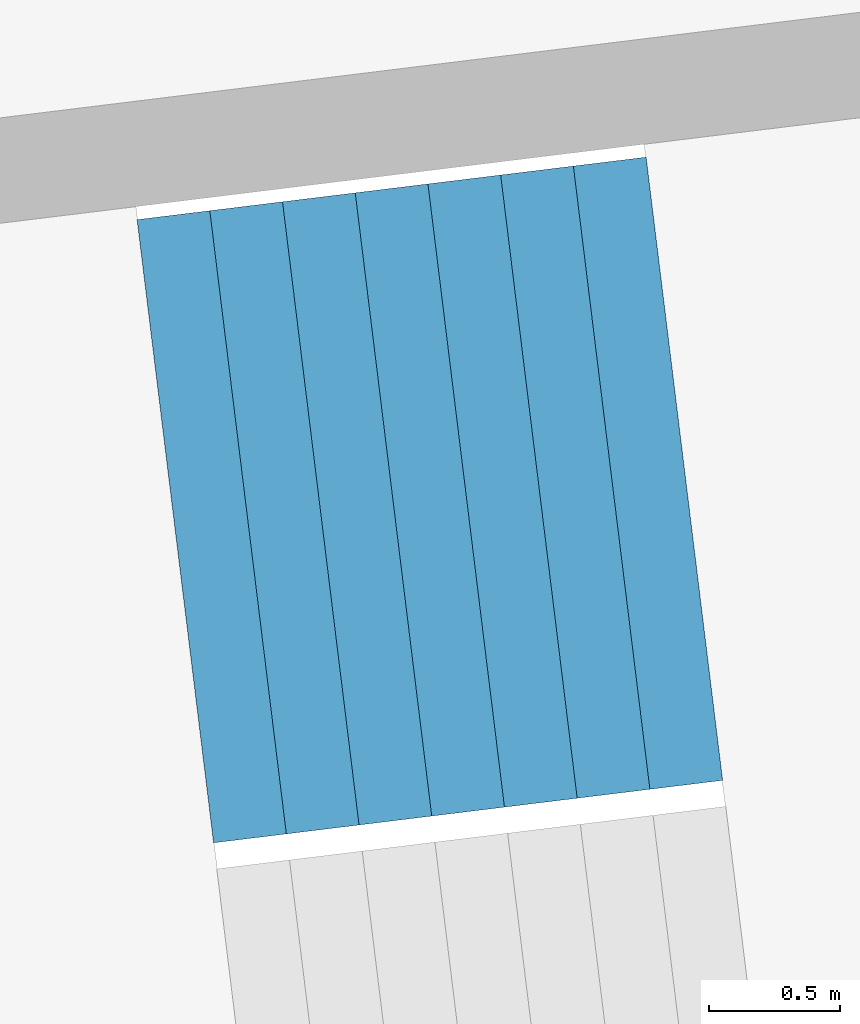
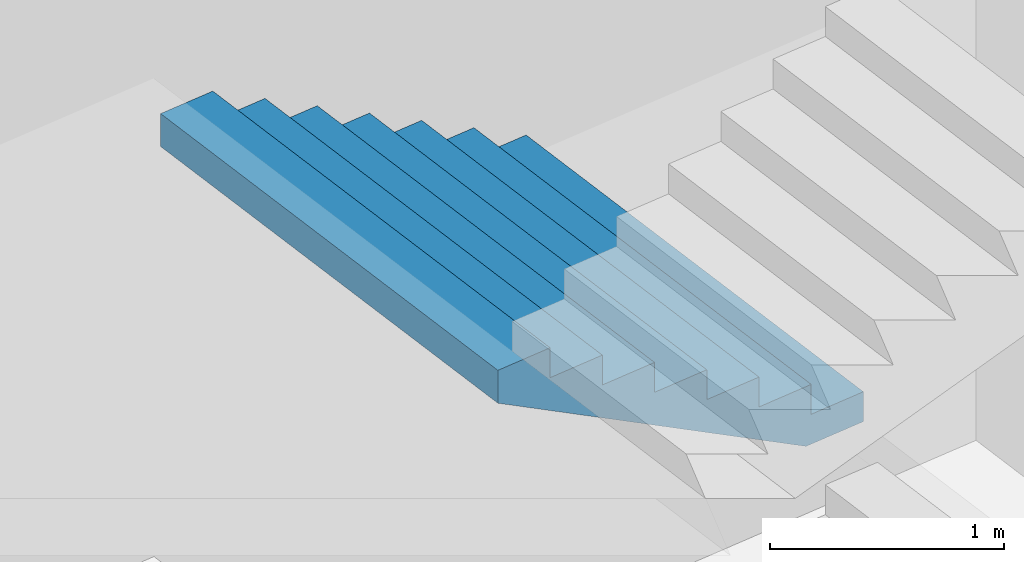
# One storey, part 26 of 73: 1 stair flight, 1 element without a shape of its own.
"""IFC4 building model written with IfcOpenShell, lengths in metres."""

from ifc_helpers import new_model, si_unit, direction, frame, origin, place, context, subcontext, project, spatial, triangles, material, type_object, element, aggregate, save


model = new_model("IFC4")

# Units and contexts
model_context = context("Model", 3, precision=1e-05, world=origin(), true_north=direction((0.0, 1.0)))
body_context = subcontext(model_context, "Body", "Model", "MODEL_VIEW")
ifc_project = project(units=[si_unit("LENGTHUNIT", "METRE"), si_unit("AREAUNIT", "SQUARE_METRE"), si_unit("VOLUMEUNIT", "CUBIC_METRE"), si_unit("PLANEANGLEUNIT", "RADIAN"), si_unit("MASSUNIT", "GRAM", prefix="KILO")], contexts=[model_context])

# Site, building, storey
site_placement = place(None, origin())
site = spatial("IfcSite", under=ifc_project, at=site_placement, CompositionType="ELEMENT")
building_placement = place(site_placement, origin())
building = spatial("IfcBuilding", under=site, at=building_placement, Name="Lantaw Convention Tower", CompositionType="ELEMENT")
storey_placement = place(building_placement, frame((0.0, 0.0, 27.0)))
storey = spatial("IfcBuildingStorey", under=building, at=storey_placement, Name="L04", CompositionType="ELEMENT", Elevation=27.0)

# Stair, stair flight
ifc_material = material(Name="Concrete C35/45", Category="concrete")
stair_type = type_object("IfcStairType", Name="Exit stair 2400 riser 156.25 in 4 flights", PredefinedType="HALF_TURN_STAIR", material=ifc_material)
stair_placement = place(storey_placement, origin())
stair = element("IfcStair", 1, at=stair_placement, inside=storey, type_object=stair_type, Name="Podium exit stair P10 L04", PredefinedType="HALF_TURN_STAIR")
stair_flight_type = type_object("IfcStairFlightType", Name="Stair flight 2400 riser 156.25", PredefinedType="STRAIGHT", material=ifc_material)
stair_flight_placement = place(storey_placement, frame((-35.162109375, -3.057861328125, 2.5), z_axis=(0.0, 0.0, 1.0), x_axis=(-0.992546151641, -0.121869343405, 0.0)))
stair_flight = element("IfcStairFlight", 2, at=stair_flight_placement, type_object=stair_flight_type, Name="P10 flight 3", NumberOfRisers=8, NumberOfTreads=7, PredefinedType="STRAIGHT", RiserHeight=0.15625, TreadLength=0.28, context=body_context, shape_type="Tessellation", body=[
    triangles([(0.0, 1.199951171875, 0.0), (0.0, 1.199951171875, 0.15625), (0.28, 1.199951171875, 0.0), (0.28, 1.199951171875, 0.15625), (0.28, 1.199951171875, 0.3125), (0.3076200632058044, 1.199951171875, 0.0), (0.3076200632058044, 1.199951171875, 0.3125), (0.56, 1.199951171875, 0.14083701830033238), (0.56, 1.199951171875, 0.3125), (0.56, 1.199951171875, 0.46875), (0.8400000000000001, 1.199951171875, 0.29708701830033235), (0.8400000000000001, 1.199951171875, 0.46875), (0.8400000000000001, 1.199951171875, 0.625), (1.12, 1.199951171875, 0.45333701830033235), (1.12, 1.199951171875, 0.625), (1.12, 1.199951171875, 0.78125), (1.4000000000000001, 1.199951171875, 0.6095870183003324), (1.4000000000000001, 1.199951171875, 0.78125), (1.4000000000000001, 1.199951171875, 0.9375), (1.6800000000000002, 1.199951171875, 0.7658370183003324), (1.6800000000000002, 1.199951171875, 0.9375), (1.6800000000000002, 1.199951171875, 1.09375), (1.9600000000000002, 1.199951171875, 0.9220870183003324), (1.9600000000000002, 1.199951171875, 1.09375), (0.0, -1.199951171875, 0.0), (0.0, -1.199951171875, 0.15625), (0.28, -1.199951171875, 0.0), (0.28, -1.199951171875, 0.15625), (0.28, -1.199951171875, 0.3125), (0.3076200632058044, -1.199951171875, 0.0), (0.3076200632058044, -1.199951171875, 0.3125), (0.56, -1.199951171875, 0.14083701830033238), (0.56, -1.199951171875, 0.3125), (0.56, -1.199951171875, 0.46875), (0.8400000000000001, -1.199951171875, 0.29708701830033235), (0.8400000000000001, -1.199951171875, 0.46875), (0.8400000000000001, -1.199951171875, 0.625), (1.12, -1.199951171875, 0.45333701830033235), (1.12, -1.199951171875, 0.625), (1.12, -1.199951171875, 0.78125), (1.4000000000000001, -1.199951171875, 0.6095870183003324), (1.4000000000000001, -1.199951171875, 0.78125), (1.4000000000000001, -1.199951171875, 0.9375), (1.6800000000000002, -1.199951171875, 0.7658370183003324), (1.6800000000000002, -1.199951171875, 0.9375), (1.6800000000000002, -1.199951171875, 1.09375), (1.9600000000000002, -1.199951171875, 0.9220870183003324), (1.9600000000000002, -1.199951171875, 1.09375), (0.0, 0.239990234375, 0.15625), (0.0, 0.239990234375, 0.0), (0.0, 0.1919921875, 0.15625), (0.0, 0.1919921875, 0.0), (0.0, 0.143994140625, 0.15625), (0.0, 0.143994140625, 0.0), (0.0, 0.09599609375, 0.15625), (0.0, 0.09599609375, 0.0), (0.0, 0.047998046875, 0.15625), (0.0, 0.047998046875, 0.0), (0.0, 0.0, 0.15625), (0.0, 0.0, 0.0), (0.0, -0.047998046875, 0.15625), (0.0, -0.047998046875, 0.0), (0.0, -0.09599609375, 0.15625), (0.0, -0.09599609375, 0.0), (0.0, -0.143994140625, 0.15625), (0.0, -0.143994140625, 0.0), (0.0, -0.1919921875, 0.15625), (0.0, -0.1919921875, 0.0), (0.0, -0.239990234375, 0.15625), (0.0, -0.239990234375, 0.0), (0.28, 0.239990234375, 0.3125), (0.28, 0.239990234375, 0.15625), (0.28, 0.1919921875, 0.3125), (0.28, 0.1919921875, 0.15625), (0.28, 0.143994140625, 0.3125), (0.28, 0.143994140625, 0.15625), (0.28, 0.09599609375, 0.3125), (0.28, 0.09599609375, 0.15625), (0.28, 0.047998046875, 0.3125), (0.28, 0.047998046875, 0.15625), (0.28, 0.0, 0.3125), (0.28, 0.0, 0.15625), (0.28, -0.047998046875, 0.3125), (0.28, -0.047998046875, 0.15625), (0.28, -0.09599609375, 0.3125), (0.28, -0.09599609375, 0.15625), (0.28, -0.143994140625, 0.3125), (0.28, -0.143994140625, 0.15625), (0.28, -0.1919921875, 0.3125), (0.28, -0.1919921875, 0.15625), (0.28, -0.239990234375, 0.3125), (0.28, -0.239990234375, 0.15625), (0.56, 0.239990234375, 0.46875), (0.56, 0.239990234375, 0.3125), (0.56, 0.1919921875, 0.46875), (0.56, 0.1919921875, 0.3125), (0.56, 0.143994140625, 0.46875), (0.56, 0.143994140625, 0.3125), (0.56, 0.09599609375, 0.46875), (0.56, 0.09599609375, 0.3125), (0.56, 0.047998046875, 0.46875), (0.56, 0.047998046875, 0.3125), (0.56, 0.0, 0.46875), (0.56, 0.0, 0.3125), (0.56, -0.047998046875, 0.46875), (0.56, -0.047998046875, 0.3125), (0.56, -0.09599609375, 0.46875), (0.56, -0.09599609375, 0.3125), (0.56, -0.143994140625, 0.46875), (0.56, -0.143994140625, 0.3125), (0.56, -0.1919921875, 0.46875), (0.56, -0.1919921875, 0.3125), (0.56, -0.239990234375, 0.46875), (0.56, -0.239990234375, 0.3125), (0.8400000000000001, 0.239990234375, 0.625), (0.8400000000000001, 0.239990234375, 0.46875), (0.8400000000000001, 0.1919921875, 0.625), (0.8400000000000001, 0.1919921875, 0.46875), (0.8400000000000001, 0.143994140625, 0.625), (0.8400000000000001, 0.143994140625, 0.46875), (0.8400000000000001, 0.09599609375, 0.625), (0.8400000000000001, 0.09599609375, 0.46875), (0.8400000000000001, 0.047998046875, 0.625), (0.8400000000000001, 0.047998046875, 0.46875), (0.8400000000000001, 0.0, 0.625), (0.8400000000000001, 0.0, 0.46875), (0.8400000000000001, -0.047998046875, 0.625), (0.8400000000000001, -0.047998046875, 0.46875), (0.8400000000000001, -0.09599609375, 0.625), (0.8400000000000001, -0.09599609375, 0.46875), (0.8400000000000001, -0.143994140625, 0.625), (0.8400000000000001, -0.143994140625, 0.46875), (0.8400000000000001, -0.1919921875, 0.625), (0.8400000000000001, -0.1919921875, 0.46875), (0.8400000000000001, -0.239990234375, 0.625), (0.8400000000000001, -0.239990234375, 0.46875), (1.12, 0.239990234375, 0.78125), (1.12, 0.239990234375, 0.625), (1.12, 0.1919921875, 0.78125), (1.12, 0.1919921875, 0.625), (1.12, 0.143994140625, 0.78125), (1.12, 0.143994140625, 0.625), (1.12, 0.09599609375, 0.78125), (1.12, 0.09599609375, 0.625), (1.12, 0.047998046875, 0.78125), (1.12, 0.047998046875, 0.625), (1.12, 0.0, 0.78125), (1.12, 0.0, 0.625), (1.12, -0.047998046875, 0.78125), (1.12, -0.047998046875, 0.625), (1.12, -0.09599609375, 0.78125), (1.12, -0.09599609375, 0.625), (1.12, -0.143994140625, 0.78125), (1.12, -0.143994140625, 0.625), (1.12, -0.1919921875, 0.78125), (1.12, -0.1919921875, 0.625), (1.12, -0.239990234375, 0.78125), (1.12, -0.239990234375, 0.625), (1.4000000000000001, 0.239990234375, 0.9375), (1.4000000000000001, 0.239990234375, 0.78125), (1.4000000000000001, 0.1919921875, 0.9375), (1.4000000000000001, 0.1919921875, 0.78125), (1.4000000000000001, 0.143994140625, 0.9375), (1.4000000000000001, 0.143994140625, 0.78125), (1.4000000000000001, 0.09599609375, 0.9375), (1.4000000000000001, 0.09599609375, 0.78125), (1.4000000000000001, 0.047998046875, 0.9375), (1.4000000000000001, 0.047998046875, 0.78125), (1.4000000000000001, 0.0, 0.9375), (1.4000000000000001, 0.0, 0.78125), (1.4000000000000001, -0.047998046875, 0.9375), (1.4000000000000001, -0.047998046875, 0.78125), (1.4000000000000001, -0.09599609375, 0.9375), (1.4000000000000001, -0.09599609375, 0.78125), (1.4000000000000001, -0.143994140625, 0.9375), (1.4000000000000001, -0.143994140625, 0.78125), (1.4000000000000001, -0.1919921875, 0.9375), (1.4000000000000001, -0.1919921875, 0.78125), (1.4000000000000001, -0.239990234375, 0.9375), (1.4000000000000001, -0.239990234375, 0.78125), (1.6800000000000002, 0.239990234375, 1.09375), (1.6800000000000002, 0.239990234375, 0.9375), (1.6800000000000002, 0.1919921875, 1.09375), (1.6800000000000002, 0.1919921875, 0.9375), (1.6800000000000002, 0.143994140625, 1.09375), (1.6800000000000002, 0.143994140625, 0.9375), (1.6800000000000002, 0.09599609375, 1.09375), (1.6800000000000002, 0.09599609375, 0.9375), (1.6800000000000002, 0.047998046875, 1.09375), (1.6800000000000002, 0.047998046875, 0.9375), (1.6800000000000002, 0.0, 1.09375), (1.6800000000000002, 0.0, 0.9375), (1.6800000000000002, -0.047998046875, 1.09375), (1.6800000000000002, -0.047998046875, 0.9375), (1.6800000000000002, -0.09599609375, 1.09375), (1.6800000000000002, -0.09599609375, 0.9375), (1.6800000000000002, -0.143994140625, 1.09375), (1.6800000000000002, -0.143994140625, 0.9375), (1.6800000000000002, -0.1919921875, 1.09375), (1.6800000000000002, -0.1919921875, 0.9375), (1.6800000000000002, -0.239990234375, 1.09375), (1.6800000000000002, -0.239990234375, 0.9375), (0.3076200632058044, 0.239990234375, 0.3125), (0.3076200632058044, 0.1919921875, 0.3125), (0.3076200632058044, 0.143994140625, 0.3125), (0.3076200632058044, 0.09599609375, 0.3125), (0.3076200632058044, 0.047998046875, 0.3125), (0.3076200632058044, 0.0, 0.3125), (0.3076200632058044, -0.047998046875, 0.3125), (0.3076200632058044, -0.09599609375, 0.3125), (0.3076200632058044, -0.143994140625, 0.3125), (0.3076200632058044, -0.1919921875, 0.3125), (0.3076200632058044, -0.239990234375, 0.3125), (1.9600000000000002, 0.239990234375, 1.09375), (1.9600000000000002, 0.1919921875, 1.09375), (1.9600000000000002, 0.143994140625, 1.09375), (1.9600000000000002, 0.09599609375, 1.09375), (1.9600000000000002, 0.047998046875, 1.09375), (1.9600000000000002, 0.0, 1.09375), (1.9600000000000002, -0.047998046875, 1.09375), (1.9600000000000002, -0.09599609375, 1.09375), (1.9600000000000002, -0.143994140625, 1.09375), (1.9600000000000002, -0.1919921875, 1.09375), (1.9600000000000002, -0.239990234375, 1.09375), (1.9600000000000002, 0.239990234375, 0.9220870183003324), (1.9600000000000002, 0.1919921875, 0.9220870183003324), (1.9600000000000002, 0.143994140625, 0.9220870183003324), (1.9600000000000002, 0.09599609375, 0.9220870183003324), (1.9600000000000002, 0.047998046875, 0.9220870183003324), (1.9600000000000002, 0.0, 0.9220870183003324), (1.9600000000000002, -0.047998046875, 0.9220870183003324), (1.9600000000000002, -0.09599609375, 0.9220870183003324), (1.9600000000000002, -0.143994140625, 0.9220870183003324), (1.9600000000000002, -0.1919921875, 0.9220870183003324), (1.9600000000000002, -0.239990234375, 0.9220870183003324), (1.6800000000000002, 0.239990234375, 0.7658370183003324), (1.6800000000000002, 0.1919921875, 0.7658370183003324), (1.6800000000000002, 0.143994140625, 0.7658370183003324), (1.6800000000000002, 0.09599609375, 0.7658370183003324), (1.6800000000000002, 0.047998046875, 0.7658370183003324), (1.6800000000000002, 0.0, 0.7658370183003324), (1.6800000000000002, -0.047998046875, 0.7658370183003324), (1.6800000000000002, -0.09599609375, 0.7658370183003324), (1.6800000000000002, -0.143994140625, 0.7658370183003324), (1.6800000000000002, -0.1919921875, 0.7658370183003324), (1.6800000000000002, -0.239990234375, 0.7658370183003324), (1.4000000000000001, 0.239990234375, 0.6095870183003324), (1.4000000000000001, 0.1919921875, 0.6095870183003324), (1.4000000000000001, 0.143994140625, 0.6095870183003324), (1.4000000000000001, 0.09599609375, 0.6095870183003324), (1.4000000000000001, 0.047998046875, 0.6095870183003324), (1.4000000000000001, 0.0, 0.6095870183003324), (1.4000000000000001, -0.047998046875, 0.6095870183003324), (1.4000000000000001, -0.09599609375, 0.6095870183003324), (1.4000000000000001, -0.143994140625, 0.6095870183003324), (1.4000000000000001, -0.1919921875, 0.6095870183003324), (1.4000000000000001, -0.239990234375, 0.6095870183003324), (1.12, 0.239990234375, 0.45333701830033235), (1.12, 0.1919921875, 0.45333701830033235), (1.12, 0.143994140625, 0.45333701830033235), (1.12, 0.09599609375, 0.45333701830033235), (1.12, 0.047998046875, 0.45333701830033235), (1.12, 0.0, 0.45333701830033235), (1.12, -0.047998046875, 0.45333701830033235), (1.12, -0.09599609375, 0.45333701830033235), (1.12, -0.143994140625, 0.45333701830033235), (1.12, -0.1919921875, 0.45333701830033235), (1.12, -0.239990234375, 0.45333701830033235), (0.8400000000000001, 0.239990234375, 0.29708701830033235), (0.8400000000000001, 0.1919921875, 0.29708701830033235), (0.8400000000000001, 0.143994140625, 0.29708701830033235), (0.8400000000000001, 0.09599609375, 0.29708701830033235), (0.8400000000000001, 0.047998046875, 0.29708701830033235), (0.8400000000000001, 0.0, 0.29708701830033235), (0.8400000000000001, -0.047998046875, 0.29708701830033235), (0.8400000000000001, -0.09599609375, 0.29708701830033235), (0.8400000000000001, -0.143994140625, 0.29708701830033235), (0.8400000000000001, -0.1919921875, 0.29708701830033235), (0.8400000000000001, -0.239990234375, 0.29708701830033235), (0.56, 0.239990234375, 0.14083701830033238), (0.56, 0.1919921875, 0.14083701830033238), (0.56, 0.143994140625, 0.14083701830033238), (0.56, 0.09599609375, 0.14083701830033238), (0.56, 0.047998046875, 0.14083701830033238), (0.56, 0.0, 0.14083701830033238), (0.56, -0.047998046875, 0.14083701830033238), (0.56, -0.09599609375, 0.14083701830033238), (0.56, -0.143994140625, 0.14083701830033238), (0.56, -0.1919921875, 0.14083701830033238), (0.56, -0.239990234375, 0.14083701830033238), (0.3076200632058044, 0.239990234375, 0.0), (0.3076200632058044, 0.1919921875, 0.0), (0.3076200632058044, 0.143994140625, 0.0), (0.3076200632058044, 0.09599609375, 0.0), (0.3076200632058044, 0.047998046875, 0.0), (0.3076200632058044, 0.0, 0.0), (0.3076200632058044, -0.047998046875, 0.0), (0.3076200632058044, -0.09599609375, 0.0), (0.3076200632058044, -0.143994140625, 0.0), (0.3076200632058044, -0.1919921875, 0.0), (0.3076200632058044, -0.239990234375, 0.0), (0.28, 0.239990234375, 0.0), (0.28, 0.1919921875, 0.0), (0.28, 0.143994140625, 0.0), (0.28, 0.09599609375, 0.0), (0.28, 0.047998046875, 0.0), (0.28, 0.0, 0.0), (0.28, -0.047998046875, 0.0), (0.28, -0.09599609375, 0.0), (0.28, -0.143994140625, 0.0), (0.28, -0.1919921875, 0.0), (0.28, -0.239990234375, 0.0)], [[1, 4, 3], [1, 2, 4], [3, 4, 6], [4, 7, 6], [4, 5, 7], [6, 9, 8], [6, 7, 9], [8, 9, 11], [9, 12, 11], [9, 10, 12], [11, 12, 14], [12, 15, 14], [12, 13, 15], [14, 15, 17], [15, 18, 17], [15, 16, 18], [17, 18, 20], [18, 21, 20], [18, 19, 21], [20, 21, 23], [21, 24, 23], [21, 22, 24], [25, 27, 28], [25, 28, 26], [27, 30, 28], [28, 30, 31], [28, 31, 29], [30, 32, 33], [30, 33, 31], [32, 35, 33], [33, 35, 36], [33, 36, 34], [35, 38, 36], [36, 38, 39], [36, 39, 37], [38, 41, 39], [39, 41, 42], [39, 42, 40], [41, 44, 42], [42, 44, 45], [42, 45, 43], [44, 47, 45], [45, 47, 48], [45, 48, 46], [1, 49, 2], [1, 50, 49], [50, 51, 49], [50, 52, 51], [52, 53, 51], [52, 54, 53], [54, 55, 53], [54, 56, 55], [56, 57, 55], [56, 58, 57], [58, 59, 57], [58, 60, 59], [60, 61, 59], [60, 62, 61], [62, 63, 61], [62, 64, 63], [64, 65, 63], [64, 66, 65], [66, 67, 65], [66, 68, 67], [68, 69, 67], [68, 70, 69], [70, 26, 69], [70, 25, 26], [4, 71, 5], [4, 72, 71], [72, 73, 71], [72, 74, 73], [74, 75, 73], [74, 76, 75], [76, 77, 75], [76, 78, 77], [78, 79, 77], [78, 80, 79], [80, 81, 79], [80, 82, 81], [82, 83, 81], [82, 84, 83], [84, 85, 83], [84, 86, 85], [86, 87, 85], [86, 88, 87], [88, 89, 87], [88, 90, 89], [90, 91, 89], [90, 92, 91], [92, 29, 91], [92, 28, 29], [9, 93, 10], [9, 94, 93], [94, 95, 93], [94, 96, 95], [96, 97, 95], [96, 98, 97], [98, 99, 97], [98, 100, 99], [100, 101, 99], [100, 102, 101], [102, 103, 101], [102, 104, 103], [104, 105, 103], [104, 106, 105], [106, 107, 105], [106, 108, 107], [108, 109, 107], [108, 110, 109], [110, 111, 109], [110, 112, 111], [112, 113, 111], [112, 114, 113], [114, 34, 113], [114, 33, 34], [12, 115, 13], [12, 116, 115], [116, 117, 115], [116, 118, 117], [118, 119, 117], [118, 120, 119], [120, 121, 119], [120, 122, 121], [122, 123, 121], [122, 124, 123], [124, 125, 123], [124, 126, 125], [126, 127, 125], [126, 128, 127], [128, 129, 127], [128, 130, 129], [130, 131, 129], [130, 132, 131], [132, 133, 131], [132, 134, 133], [134, 135, 133], [134, 136, 135], [136, 37, 135], [136, 36, 37], [15, 137, 16], [15, 138, 137], [138, 139, 137], [138, 140, 139], [140, 141, 139], [140, 142, 141], [142, 143, 141], [142, 144, 143], [144, 145, 143], [144, 146, 145], [146, 147, 145], [146, 148, 147], [148, 149, 147], [148, 150, 149], [150, 151, 149], [150, 152, 151], [152, 153, 151], [152, 154, 153], [154, 155, 153], [154, 156, 155], [156, 157, 155], [156, 158, 157], [158, 40, 157], [158, 39, 40], [18, 159, 19], [18, 160, 159], [160, 161, 159], [160, 162, 161], [162, 163, 161], [162, 164, 163], [164, 165, 163], [164, 166, 165], [166, 167, 165], [166, 168, 167], [168, 169, 167], [168, 170, 169], [170, 171, 169], [170, 172, 171], [172, 173, 171], [172, 174, 173], [174, 175, 173], [174, 176, 175], [176, 177, 175], [176, 178, 177], [178, 179, 177], [178, 180, 179], [180, 43, 179], [180, 42, 43], [21, 181, 22], [21, 182, 181], [182, 183, 181], [182, 184, 183], [184, 185, 183], [184, 186, 185], [186, 187, 185], [186, 188, 187], [188, 189, 187], [188, 190, 189], [190, 191, 189], [190, 192, 191], [192, 193, 191], [192, 194, 193], [194, 195, 193], [194, 196, 195], [196, 197, 195], [196, 198, 197], [198, 199, 197], [198, 200, 199], [200, 201, 199], [200, 202, 201], [202, 46, 201], [202, 45, 46], [2, 72, 4], [2, 49, 72], [49, 74, 72], [49, 51, 74], [51, 76, 74], [51, 53, 76], [53, 78, 76], [53, 55, 78], [55, 80, 78], [55, 57, 80], [57, 82, 80], [57, 59, 82], [59, 84, 82], [59, 61, 84], [61, 86, 84], [61, 63, 86], [63, 88, 86], [63, 65, 88], [65, 90, 88], [65, 67, 90], [67, 92, 90], [67, 69, 92], [69, 28, 92], [69, 26, 28], [5, 203, 7], [5, 71, 203], [71, 204, 203], [71, 73, 204], [73, 205, 204], [73, 75, 205], [75, 206, 205], [75, 77, 206], [77, 207, 206], [77, 79, 207], [79, 208, 207], [79, 81, 208], [81, 209, 208], [81, 83, 209], [83, 210, 209], [83, 85, 210], [85, 211, 210], [85, 87, 211], [87, 212, 211], [87, 89, 212], [89, 213, 212], [89, 91, 213], [91, 31, 213], [91, 29, 31], [7, 94, 9], [7, 203, 94], [203, 96, 94], [203, 204, 96], [204, 98, 96], [204, 205, 98], [205, 100, 98], [205, 206, 100], [206, 102, 100], [206, 207, 102], [207, 104, 102], [207, 208, 104], [208, 106, 104], [208, 209, 106], [209, 108, 106], [209, 210, 108], [210, 110, 108], [210, 211, 110], [211, 112, 110], [211, 212, 112], [212, 114, 112], [212, 213, 114], [213, 33, 114], [213, 31, 33], [10, 116, 12], [10, 93, 116], [93, 118, 116], [93, 95, 118], [95, 120, 118], [95, 97, 120], [97, 122, 120], [97, 99, 122], [99, 124, 122], [99, 101, 124], [101, 126, 124], [101, 103, 126], [103, 128, 126], [103, 105, 128], [105, 130, 128], [105, 107, 130], [107, 132, 130], [107, 109, 132], [109, 134, 132], [109, 111, 134], [111, 136, 134], [111, 113, 136], [113, 36, 136], [113, 34, 36], [13, 138, 15], [13, 115, 138], [115, 140, 138], [115, 117, 140], [117, 142, 140], [117, 119, 142], [119, 144, 142], [119, 121, 144], [121, 146, 144], [121, 123, 146], [123, 148, 146], [123, 125, 148], [125, 150, 148], [125, 127, 150], [127, 152, 150], [127, 129, 152], [129, 154, 152], [129, 131, 154], [131, 156, 154], [131, 133, 156], [133, 158, 156], [133, 135, 158], [135, 39, 158], [135, 37, 39], [16, 160, 18], [16, 137, 160], [137, 162, 160], [137, 139, 162], [139, 164, 162], [139, 141, 164], [141, 166, 164], [141, 143, 166], [143, 168, 166], [143, 145, 168], [145, 170, 168], [145, 147, 170], [147, 172, 170], [147, 149, 172], [149, 174, 172], [149, 151, 174], [151, 176, 174], [151, 153, 176], [153, 178, 176], [153, 155, 178], [155, 180, 178], [155, 157, 180], [157, 42, 180], [157, 40, 42], [19, 182, 21], [19, 159, 182], [159, 184, 182], [159, 161, 184], [161, 186, 184], [161, 163, 186], [163, 188, 186], [163, 165, 188], [165, 190, 188], [165, 167, 190], [167, 192, 190], [167, 169, 192], [169, 194, 192], [169, 171, 194], [171, 196, 194], [171, 173, 196], [173, 198, 196], [173, 175, 198], [175, 200, 198], [175, 177, 200], [177, 202, 200], [177, 179, 202], [179, 45, 202], [179, 43, 45], [22, 214, 24], [22, 181, 214], [181, 215, 214], [181, 183, 215], [183, 216, 215], [183, 185, 216], [185, 217, 216], [185, 187, 217], [187, 218, 217], [187, 189, 218], [189, 219, 218], [189, 191, 219], [191, 220, 219], [191, 193, 220], [193, 221, 220], [193, 195, 221], [195, 222, 221], [195, 197, 222], [197, 223, 222], [197, 199, 223], [199, 224, 223], [199, 201, 224], [201, 48, 224], [201, 46, 48], [24, 225, 23], [24, 214, 225], [214, 226, 225], [214, 215, 226], [215, 227, 226], [215, 216, 227], [216, 228, 227], [216, 217, 228], [217, 229, 228], [217, 218, 229], [218, 230, 229], [218, 219, 230], [219, 231, 230], [219, 220, 231], [220, 232, 231], [220, 221, 232], [221, 233, 232], [221, 222, 233], [222, 234, 233], [222, 223, 234], [223, 235, 234], [223, 224, 235], [224, 47, 235], [224, 48, 47], [23, 236, 20], [23, 225, 236], [225, 237, 236], [225, 226, 237], [226, 238, 237], [226, 227, 238], [227, 239, 238], [227, 228, 239], [228, 240, 239], [228, 229, 240], [229, 241, 240], [229, 230, 241], [230, 242, 241], [230, 231, 242], [231, 243, 242], [231, 232, 243], [232, 244, 243], [232, 233, 244], [233, 245, 244], [233, 234, 245], [234, 246, 245], [234, 235, 246], [235, 44, 246], [235, 47, 44], [20, 247, 17], [20, 236, 247], [236, 248, 247], [236, 237, 248], [237, 249, 248], [237, 238, 249], [238, 250, 249], [238, 239, 250], [239, 251, 250], [239, 240, 251], [240, 252, 251], [240, 241, 252], [241, 253, 252], [241, 242, 253], [242, 254, 253], [242, 243, 254], [243, 255, 254], [243, 244, 255], [244, 256, 255], [244, 245, 256], [245, 257, 256], [245, 246, 257], [246, 41, 257], [246, 44, 41], [17, 258, 14], [17, 247, 258], [247, 259, 258], [247, 248, 259], [248, 260, 259], [248, 249, 260], [249, 261, 260], [249, 250, 261], [250, 262, 261], [250, 251, 262], [251, 263, 262], [251, 252, 263], [252, 264, 263], [252, 253, 264], [253, 265, 264], [253, 254, 265], [254, 266, 265], [254, 255, 266], [255, 267, 266], [255, 256, 267], [256, 268, 267], [256, 257, 268], [257, 38, 268], [257, 41, 38], [14, 269, 11], [14, 258, 269], [258, 270, 269], [258, 259, 270], [259, 271, 270], [259, 260, 271], [260, 272, 271], [260, 261, 272], [261, 273, 272], [261, 262, 273], [262, 274, 273], [262, 263, 274], [263, 275, 274], [263, 264, 275], [264, 276, 275], [264, 265, 276], [265, 277, 276], [265, 266, 277], [266, 278, 277], [266, 267, 278], [267, 279, 278], [267, 268, 279], [268, 35, 279], [268, 38, 35], [11, 280, 8], [11, 269, 280], [269, 281, 280], [269, 270, 281], [270, 282, 281], [270, 271, 282], [271, 283, 282], [271, 272, 283], [272, 284, 283], [272, 273, 284], [273, 285, 284], [273, 274, 285], [274, 286, 285], [274, 275, 286], [275, 287, 286], [275, 276, 287], [276, 288, 287], [276, 277, 288], [277, 289, 288], [277, 278, 289], [278, 290, 289], [278, 279, 290], [279, 32, 290], [279, 35, 32], [8, 291, 6], [8, 280, 291], [280, 292, 291], [280, 281, 292], [281, 293, 292], [281, 282, 293], [282, 294, 293], [282, 283, 294], [283, 295, 294], [283, 284, 295], [284, 296, 295], [284, 285, 296], [285, 297, 296], [285, 286, 297], [286, 298, 297], [286, 287, 298], [287, 299, 298], [287, 288, 299], [288, 300, 299], [288, 289, 300], [289, 301, 300], [289, 290, 301], [290, 30, 301], [290, 32, 30], [6, 302, 3], [6, 291, 302], [291, 303, 302], [291, 292, 303], [292, 304, 303], [292, 293, 304], [293, 305, 304], [293, 294, 305], [294, 306, 305], [294, 295, 306], [295, 307, 306], [295, 296, 307], [296, 308, 307], [296, 297, 308], [297, 309, 308], [297, 298, 309], [298, 310, 309], [298, 299, 310], [299, 311, 310], [299, 300, 311], [300, 312, 311], [300, 301, 312], [301, 27, 312], [301, 30, 27], [3, 50, 1], [3, 302, 50], [302, 52, 50], [302, 303, 52], [303, 54, 52], [303, 304, 54], [304, 56, 54], [304, 305, 56], [305, 58, 56], [305, 306, 58], [306, 60, 58], [306, 307, 60], [307, 62, 60], [307, 308, 62], [308, 64, 62], [308, 309, 64], [309, 66, 64], [309, 310, 66], [310, 68, 66], [310, 311, 68], [311, 70, 68], [311, 312, 70], [312, 25, 70], [312, 27, 25]], closed=True),
])
aggregate(stair, [stair_flight])

save(model, "model.ifc")
